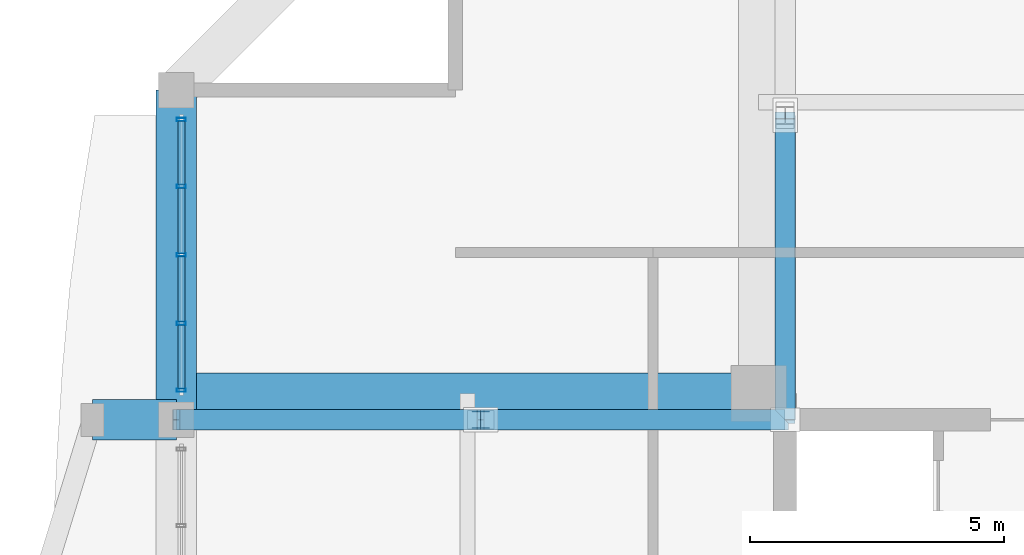
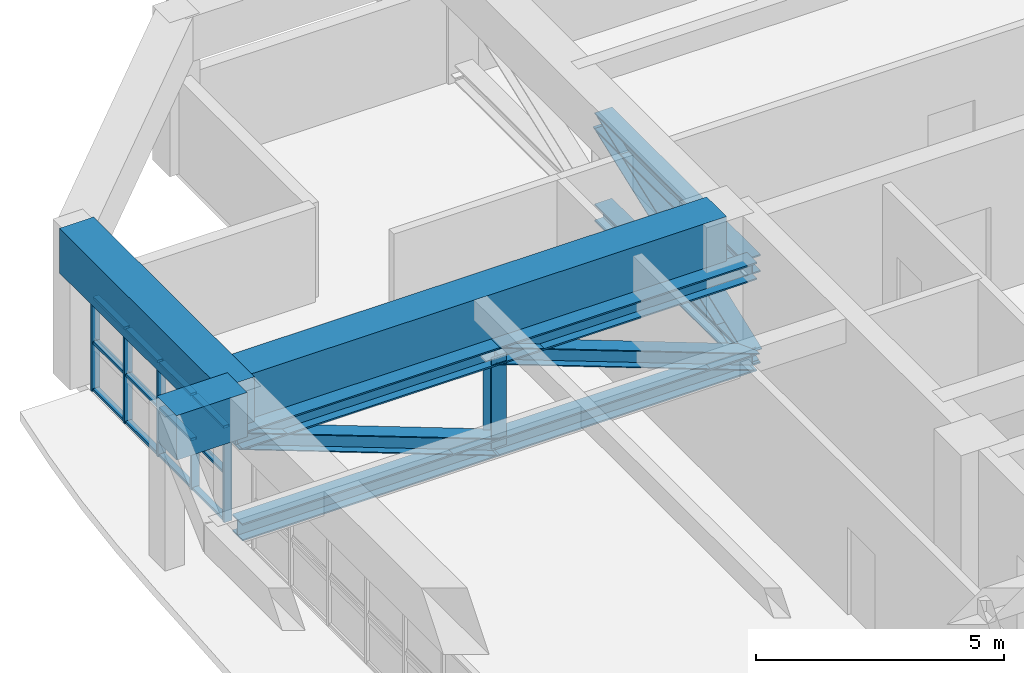
# One storey, part 16 of 25: 27 members, 3 beams, 1 element without a shape of its own.
"""IFC4 building model written with IfcOpenShell, lengths in metres."""

from ifc_helpers import new_model, si_unit, direction, frame, origin, origin_2d, place, context, subcontext, project, spatial, rectangle, hollow_rectangle, i_section, extrude, source, transform, mapped, material, layer, layer_set, material_profile, profile_set, type_object, element, aggregate, save


model = new_model("IFC4")

# Units and contexts
model_context = context("Model", 3, precision=1e-05, world=origin(), true_north=direction((0.0, 1.0)))
body_context = subcontext(model_context, "Body", "Model", "MODEL_VIEW")
ifc_project = project(units=[si_unit("LENGTHUNIT", "METRE"), si_unit("AREAUNIT", "SQUARE_METRE"), si_unit("VOLUMEUNIT", "CUBIC_METRE"), si_unit("PLANEANGLEUNIT", "RADIAN"), si_unit("MASSUNIT", "GRAM", prefix="KILO")], contexts=[model_context])

# Site, building, storey
site_placement = place(None, origin())
site = spatial("IfcSite", under=ifc_project, at=site_placement, CompositionType="ELEMENT")
building_placement = place(site_placement, origin())
building = spatial("IfcBuilding", under=site, at=building_placement, Name="Saelheon Loggia Tower", CompositionType="ELEMENT")
storey_placement = place(building_placement, frame((0.0, 0.0, 206.5)))
storey = spatial("IfcBuildingStorey", under=building, at=storey_placement, Name="L64", CompositionType="ELEMENT", Elevation=206.5)

# Beams
ifc_material_1 = material(Name="Concrete C50/60", Category="concrete")
ifc_material_profile_1 = material_profile(ifc_material_1, rectangle(XDim=0.800048828125, YDim=1.10009765625, at=origin_2d()), Name="RC-800x1100")
ifc_profile_set_1 = profile_set([ifc_material_profile_1], Name="Concrete C50/60")
beam_type_1 = type_object("IfcBeamType", Name="Beam_SetbackTransfer_RC800x1100", PredefinedType="BEAM", material=ifc_profile_set_1)
shared_shape_1 = source(origin(), body_context, "Body", "SweptSolid", [
    extrude(rectangle(XDim=0.800048828125, YDim=1.10009765625, at=origin_2d()), origin(), (0.0, 0.0, 1.0), 11.47998046875),
])
beam_1_placement = place(storey_placement, frame((30.97998046875, 36.52001953125, 3.25), z_axis=(-1.0, 0.0, 0.0), x_axis=(0.0, -1.0, 0.0)))
element("IfcBeam", 1, at=beam_1_placement, inside=storey, type_object=beam_type_1, Name="L64 Radial Floor Girder RAD-NW-W", PredefinedType="BEAM", context=body_context, shape_type="MappedRepresentation", body=[
    mapped(shared_shape_1, transform((0.0, 0.0, 0.0), scale=1.0)),
])
ifc_material_profile_2 = material_profile(ifc_material_1, rectangle(XDim=0.800048828125, YDim=1.10009765625, at=origin_2d()), Name="RC-800x1100")
ifc_profile_set_2 = profile_set([ifc_material_profile_2], Name="Concrete C50/60")
beam_type_2 = type_object("IfcBeamType", Name="Beam_PerimSetback_RC800x1100", PredefinedType="BEAM", material=ifc_profile_set_2)
shared_shape_2 = source(origin(), body_context, "Body", "SweptSolid", [
    extrude(rectangle(XDim=0.800048828125, YDim=1.10009765625, at=origin_2d()), origin(), (0.0, 0.0, 1.0), 1.64990234375),
])
beam_2_placement = place(storey_placement, frame((19.5, 36.0, 3.25), z_axis=(-1.0, 0.0, 0.0), x_axis=(0.0, -1.0, 0.0)))
element("IfcBeam", 2, at=beam_2_placement, inside=storey, type_object=beam_type_2, Name="L64 Loggia Frame Tie Beam LP-W2", PredefinedType="BEAM", context=body_context, shape_type="MappedRepresentation", body=[
    mapped(shared_shape_2, transform((0.0, 0.0, 0.0), scale=1.0)),
])
shared_shape_3 = source(origin(), body_context, "Body", "SweptSolid", [
    extrude(rectangle(XDim=0.800048828125, YDim=1.10009765625, at=origin_2d()), origin(), (0.0, 0.0, 1.0), 6.5),
])
beam_3_placement = place(storey_placement, frame((19.5, 42.5, 3.25), z_axis=(0.0, -1.0, 0.0), x_axis=(1.0, 0.0, 0.0)))
element("IfcBeam", 3, at=beam_3_placement, inside=storey, type_object=beam_type_2, Name="L64 Perimeter Frame Girder 13", PredefinedType="BEAM", context=body_context, shape_type="MappedRepresentation", body=[
    mapped(shared_shape_3, transform((0.0, 0.0, 0.0), scale=1.0)),
])

# Members
ifc_material_2 = material(Name="Steel SM355", Category="steel")
ifc_material_profile_3 = material_profile(ifc_material_2, i_section(OverallWidth=0.406982421875, OverallDepth=0.427978515625, WebThickness=0.02001953125, FlangeThickness=0.034912109375, at=origin_2d()), Name="H-428x407x20x35")
ifc_profile_set_3 = profile_set([ifc_material_profile_3], Name="Steel SM355")
member_type_1 = type_object("IfcMemberType", Name="Outrigger_Chord_H428", PredefinedType="CHORD", material=ifc_profile_set_3)
shared_shape_4 = source(origin(), body_context, "Body", "SweptSolid", [
    extrude(i_section(OverallWidth=0.406982421875, OverallDepth=0.427978515625, WebThickness=0.02001953125, FlangeThickness=0.034912109375, at=origin_2d()), origin(), (0.0, 0.0, 1.0), 6.0),
])
for number, where, z_axis, x_axis, name in (
    (4, (31.5, 36.0, 0.219970703125), (0.0, 1.0, 0.0), (-1.0, 0.0, 0.0), "L64 Outrigger Bottom Chord NW-N 1"),
    (5, (31.5, 36.0, 2.469970703125), (0.0, 1.0, 0.0), (-1.0, 0.0, 0.0), "L64 Outrigger Top Chord NW-N 1"),
    (6, (31.5, 36.0, 0.219970703125), (-1.0, 0.0, 0.0), (0.0, -1.0, 0.0), "L64 Outrigger Bottom Chord NW-W 1"),
    (7, (25.5, 36.0, 0.219970703125), (-1.0, 0.0, 0.0), (0.0, -1.0, 0.0), "L64 Outrigger Bottom Chord NW-W 2"),
    (8, (31.5, 36.0, 2.469970703125), (-1.0, 0.0, 0.0), (0.0, -1.0, 0.0), "L64 Outrigger Top Chord NW-W 1"),
    (9, (25.5, 36.0, 2.469970703125), (-1.0, 0.0, 0.0), (0.0, -1.0, 0.0), "L64 Outrigger Top Chord NW-W 2"),
):
    element("IfcMember", number, at=place(storey_placement, frame(where, z_axis=z_axis, x_axis=x_axis)), inside=storey, type_object=member_type_1, Name=name, PredefinedType="CHORD", context=body_context, shape_type="MappedRepresentation", body=[
        mapped(shared_shape_4, transform((0.0, 0.0, 0.0), scale=1.0)),
    ])
ifc_material_profile_4 = material_profile(ifc_material_2, i_section(OverallWidth=0.35009765625, OverallDepth=0.35009765625, WebThickness=0.011962890625, FlangeThickness=0.01904296875, at=origin_2d()), Name="H-350x350x12x19")
ifc_profile_set_4 = profile_set([ifc_material_profile_4], Name="Steel SM355")
member_type_2 = type_object("IfcMemberType", Name="Outrigger_Post_H350", PredefinedType="POST", material=ifc_profile_set_4)
shared_shape_5 = source(origin(), body_context, "Body", "SweptSolid", [
    extrude(i_section(OverallWidth=0.35009765625, OverallDepth=0.35009765625, WebThickness=0.011962890625, FlangeThickness=0.01904296875, at=origin_2d()), origin(), (0.0, 0.0, 1.0), 2.25),
])
member_1_placement = place(storey_placement, frame((25.5, 36.0, 0.219970703125), z_axis=(0.0, 0.0, 1.0), x_axis=(1.0, 0.0, 0.0)))
element("IfcMember", 10, at=member_1_placement, inside=storey, type_object=member_type_2, Name="L64 Outrigger Web Post NW-W", PredefinedType="POST", context=body_context, shape_type="MappedRepresentation", body=[
    mapped(shared_shape_5, transform((0.0, 0.0, 0.0), scale=1.0)),
])
ifc_material_profile_5 = material_profile(ifc_material_2, i_section(OverallWidth=0.39990234375, OverallDepth=0.39990234375, WebThickness=0.012939453125, FlangeThickness=0.02099609375, at=origin_2d()), Name="H-400x400x13x21")
ifc_profile_set_5 = profile_set([ifc_material_profile_5], Name="Steel SM355")
member_type_3 = type_object("IfcMemberType", Name="Outrigger_Brace_H400", PredefinedType="BRACE", material=ifc_profile_set_5)
shared_shape_6 = source(origin(), body_context, "Body", "SweptSolid", [
    extrude(i_section(OverallWidth=0.39990234375, OverallDepth=0.39990234375, WebThickness=0.012939453125, FlangeThickness=0.02099609375, at=origin_2d()), origin(), (0.0, 0.0, 1.0), 6.407958984375),
])
for number, where, z_axis, x_axis, name in (
    (11, (31.5, 36.0, 0.219970703125), (0.0, 0.936329177569, 0.351123441588), (-1.0, 0.0, 0.0), "L64 Outrigger Diagonal NW-N 1"),
    (12, (31.5, 36.0, 0.219970703125), (-0.936329177569, 0.0, 0.351123441588), (0.0, -1.0, 0.0), "L64 Outrigger Diagonal NW-W 1"),
    (13, (25.5, 36.0, 0.219970703125), (-0.936329177569, 0.0, 0.351123441588), (0.0, -1.0, 0.0), "L64 Outrigger Diagonal NW-W 2"),
):
    element("IfcMember", number, at=place(storey_placement, frame(where, z_axis=z_axis, x_axis=x_axis)), inside=storey, type_object=member_type_3, Name=name, PredefinedType="BRACE", context=body_context, shape_type="MappedRepresentation", body=[
        mapped(shared_shape_6, transform((0.0, 0.0, 0.0), scale=1.0)),
    ])

# Curtain wall, members
ifc_material_3 = material(Name="Anodised Aluminium Acoustic Louvre Curtain Wall", Category="aluminium")
ifc_layer = layer(ifc_material_3, 0.179931640625)
ifc_layer_set = layer_set([ifc_layer], Name="Anodised Aluminium Acoustic Louvre Curtain Wall")
curtain_wall_type = type_object("IfcCurtainWallType", Name="CW_RefugeAcoustic", PredefinedType="NOTDEFINED", material=ifc_layer_set)
curtain_wall_placement = place(storey_placement, origin())
curtain_wall = element("IfcCurtainWall", 14, at=curtain_wall_placement, inside=storey, type_object=curtain_wall_type, Name="L64 W Refuge Acoustic Curtain Wall 3", PredefinedType="NOTDEFINED")
ifc_material_4 = material(Name="Anodised Aluminium 6063-T6", Category="aluminium")
ifc_material_profile_6 = material_profile(ifc_material_4, hollow_rectangle(XDim=0.06494140625, YDim=0.179931640625, WallThickness=0.00390625, at=origin_2d()), Name="RHS-180x65x4")
ifc_profile_set_6 = profile_set([ifc_material_profile_6], Name="Anodised Aluminium 6063-T6")
member_type_4 = type_object("IfcMemberType", Name="CW_RefugeAcoustic_Mullion", PredefinedType="MULLION", material=ifc_profile_set_6)
shared_shape_7 = source(origin(), body_context, "Body", "SweptSolid", [
    extrude(hollow_rectangle(XDim=0.06494140625, YDim=0.179931640625, WallThickness=0.00390625, at=origin_2d()), origin(), (0.0, 0.0, 1.0), 2.340087890625),
])
member_2_placement = place(storey_placement, frame((19.60009765625, 36.58251953125, 0.0), z_axis=(0.0, 0.0, 1.0), x_axis=(0.0, 1.0, 0.0)))
member_2 = element("IfcMember", 15, at=member_2_placement, type_object=member_type_4, Name="CW5 mullion 1", PredefinedType="MULLION", context=body_context, shape_type="MappedRepresentation", body=[
    mapped(shared_shape_7, transform((0.0, 0.0, 0.0), scale=1.0)),
])
member_3_placement = place(storey_placement, frame((19.60009765625, 37.89990234375, 0.0), z_axis=(0.0, 0.0, 1.0), x_axis=(0.0, 1.0, 0.0)))
member_3 = element("IfcMember", 16, at=member_3_placement, type_object=member_type_4, Name="CW5 mullion 2", PredefinedType="MULLION", context=body_context, shape_type="MappedRepresentation", body=[
    mapped(shared_shape_7, transform((0.0, 0.0, 0.0), scale=1.0)),
])
member_4_placement = place(storey_placement, frame((19.60009765625, 39.25, 0.0), z_axis=(0.0, 0.0, 1.0), x_axis=(0.0, 1.0, 0.0)))
member_4 = element("IfcMember", 17, at=member_4_placement, type_object=member_type_4, Name="CW5 mullion 3", PredefinedType="MULLION", context=body_context, shape_type="MappedRepresentation", body=[
    mapped(shared_shape_7, transform((0.0, 0.0, 0.0), scale=1.0)),
])
member_5_placement = place(storey_placement, frame((19.60009765625, 40.60009765625, 0.0), z_axis=(0.0, 0.0, 1.0), x_axis=(0.0, 1.0, 0.0)))
member_5 = element("IfcMember", 18, at=member_5_placement, type_object=member_type_4, Name="CW5 mullion 4", PredefinedType="MULLION", context=body_context, shape_type="MappedRepresentation", body=[
    mapped(shared_shape_7, transform((0.0, 0.0, 0.0), scale=1.0)),
])
member_6_placement = place(storey_placement, frame((19.60009765625, 41.91748046875, 0.0), z_axis=(0.0, 0.0, 1.0), x_axis=(0.0, 1.0, 0.0)))
member_6 = element("IfcMember", 19, at=member_6_placement, type_object=member_type_4, Name="CW5 mullion 5", PredefinedType="MULLION", context=body_context, shape_type="MappedRepresentation", body=[
    mapped(shared_shape_7, transform((0.0, 0.0, 0.0), scale=1.0)),
])
ifc_material_profile_7 = material_profile(ifc_material_4, hollow_rectangle(XDim=0.06494140625, YDim=0.139892578125, WallThickness=0.00390625, at=origin_2d()), Name="RHS-140x65x4")
ifc_profile_set_7 = profile_set([ifc_material_profile_7], Name="Anodised Aluminium 6063-T6")
member_type_5 = type_object("IfcMemberType", Name="CW_RefugeAcoustic_Transom", PredefinedType="USERDEFINED", material=ifc_profile_set_7)
shared_shape_8 = source(origin(), body_context, "Body", "SweptSolid", [
    extrude(hollow_rectangle(XDim=0.06494140625, YDim=0.139892578125, WallThickness=0.00390625, at=origin_2d()), origin(), (0.0, 0.0, 1.0), 1.25244140625),
])
member_7_placement = place(storey_placement, frame((19.60009765625, 36.614990234375, 0.032470703125), z_axis=(0.0, 1.0, 0.0), x_axis=(0.0, 0.0, 1.0)))
member_7 = element("IfcMember", 20, at=member_7_placement, type_object=member_type_5, Name="CW5 transom 1.1", ObjectType="TRANSOM", PredefinedType="USERDEFINED", context=body_context, shape_type="MappedRepresentation", body=[
    mapped(shared_shape_8, transform((0.0, 0.0, 0.0), scale=1.0)),
])
member_8_placement = place(storey_placement, frame((19.60009765625, 36.614990234375, 1.199951171875), z_axis=(0.0, 1.0, 0.0), x_axis=(0.0, 0.0, 1.0)))
member_8 = element("IfcMember", 21, at=member_8_placement, type_object=member_type_5, Name="CW5 transom 1.2", ObjectType="TRANSOM", PredefinedType="USERDEFINED", context=body_context, shape_type="MappedRepresentation", body=[
    mapped(shared_shape_8, transform((0.0, 0.0, 0.0), scale=1.0)),
])
member_9_placement = place(storey_placement, frame((19.60009765625, 36.614990234375, 2.3076171875), z_axis=(0.0, 1.0, 0.0), x_axis=(0.0, 0.0, 1.0)))
member_9 = element("IfcMember", 22, at=member_9_placement, type_object=member_type_5, Name="CW5 transom 1.3", ObjectType="TRANSOM", PredefinedType="USERDEFINED", context=body_context, shape_type="MappedRepresentation", body=[
    mapped(shared_shape_8, transform((0.0, 0.0, 0.0), scale=1.0)),
])
member_10_placement = place(storey_placement, frame((19.60009765625, 40.632568359375, 0.032470703125), z_axis=(0.0, 1.0, 0.0), x_axis=(0.0, 0.0, 1.0)))
member_10 = element("IfcMember", 23, at=member_10_placement, type_object=member_type_5, Name="CW5 transom 4.1", ObjectType="TRANSOM", PredefinedType="USERDEFINED", context=body_context, shape_type="MappedRepresentation", body=[
    mapped(shared_shape_8, transform((0.0, 0.0, 0.0), scale=1.0)),
])
member_11_placement = place(storey_placement, frame((19.60009765625, 40.632568359375, 1.199951171875), z_axis=(0.0, 1.0, 0.0), x_axis=(0.0, 0.0, 1.0)))
member_11 = element("IfcMember", 24, at=member_11_placement, type_object=member_type_5, Name="CW5 transom 4.2", ObjectType="TRANSOM", PredefinedType="USERDEFINED", context=body_context, shape_type="MappedRepresentation", body=[
    mapped(shared_shape_8, transform((0.0, 0.0, 0.0), scale=1.0)),
])
member_12_placement = place(storey_placement, frame((19.60009765625, 40.632568359375, 2.3076171875), z_axis=(0.0, 1.0, 0.0), x_axis=(0.0, 0.0, 1.0)))
member_12 = element("IfcMember", 25, at=member_12_placement, type_object=member_type_5, Name="CW5 transom 4.3", ObjectType="TRANSOM", PredefinedType="USERDEFINED", context=body_context, shape_type="MappedRepresentation", body=[
    mapped(shared_shape_8, transform((0.0, 0.0, 0.0), scale=1.0)),
])
shared_shape_9 = source(origin(), body_context, "Body", "SweptSolid", [
    extrude(hollow_rectangle(XDim=0.06494140625, YDim=0.139892578125, WallThickness=0.00390625, at=origin_2d()), origin(), (0.0, 0.0, 1.0), 1.284912109375),
])
member_13_placement = place(storey_placement, frame((19.60009765625, 37.9326171875, 0.032470703125), z_axis=(0.0, 1.0, 0.0), x_axis=(0.0, 0.0, 1.0)))
member_13 = element("IfcMember", 26, at=member_13_placement, type_object=member_type_5, Name="CW5 transom 2.1", ObjectType="TRANSOM", PredefinedType="USERDEFINED", context=body_context, shape_type="MappedRepresentation", body=[
    mapped(shared_shape_9, transform((0.0, 0.0, 0.0), scale=1.0)),
])
member_14_placement = place(storey_placement, frame((19.60009765625, 37.9326171875, 1.199951171875), z_axis=(0.0, 1.0, 0.0), x_axis=(0.0, 0.0, 1.0)))
member_14 = element("IfcMember", 27, at=member_14_placement, type_object=member_type_5, Name="CW5 transom 2.2", ObjectType="TRANSOM", PredefinedType="USERDEFINED", context=body_context, shape_type="MappedRepresentation", body=[
    mapped(shared_shape_9, transform((0.0, 0.0, 0.0), scale=1.0)),
])
member_15_placement = place(storey_placement, frame((19.60009765625, 37.9326171875, 2.3076171875), z_axis=(0.0, 1.0, 0.0), x_axis=(0.0, 0.0, 1.0)))
member_15 = element("IfcMember", 28, at=member_15_placement, type_object=member_type_5, Name="CW5 transom 2.3", ObjectType="TRANSOM", PredefinedType="USERDEFINED", context=body_context, shape_type="MappedRepresentation", body=[
    mapped(shared_shape_9, transform((0.0, 0.0, 0.0), scale=1.0)),
])
member_16_placement = place(storey_placement, frame((19.60009765625, 39.282470703125, 0.032470703125), z_axis=(0.0, 1.0, 0.0), x_axis=(0.0, 0.0, 1.0)))
member_16 = element("IfcMember", 29, at=member_16_placement, type_object=member_type_5, Name="CW5 transom 3.1", ObjectType="TRANSOM", PredefinedType="USERDEFINED", context=body_context, shape_type="MappedRepresentation", body=[
    mapped(shared_shape_9, transform((0.0, 0.0, 0.0), scale=1.0)),
])
member_17_placement = place(storey_placement, frame((19.60009765625, 39.282470703125, 1.199951171875), z_axis=(0.0, 1.0, 0.0), x_axis=(0.0, 0.0, 1.0)))
member_17 = element("IfcMember", 30, at=member_17_placement, type_object=member_type_5, Name="CW5 transom 3.2", ObjectType="TRANSOM", PredefinedType="USERDEFINED", context=body_context, shape_type="MappedRepresentation", body=[
    mapped(shared_shape_9, transform((0.0, 0.0, 0.0), scale=1.0)),
])
member_18_placement = place(storey_placement, frame((19.60009765625, 39.282470703125, 2.3076171875), z_axis=(0.0, 1.0, 0.0), x_axis=(0.0, 0.0, 1.0)))
member_18 = element("IfcMember", 31, at=member_18_placement, type_object=member_type_5, Name="CW5 transom 3.3", ObjectType="TRANSOM", PredefinedType="USERDEFINED", context=body_context, shape_type="MappedRepresentation", body=[
    mapped(shared_shape_9, transform((0.0, 0.0, 0.0), scale=1.0)),
])
aggregate(curtain_wall, [member_2, member_3, member_4, member_5, member_6, member_7, member_8, member_9, member_13, member_14, member_15, member_16, member_17, member_18, member_10, member_11, member_12])

save(model, "model.ifc")
